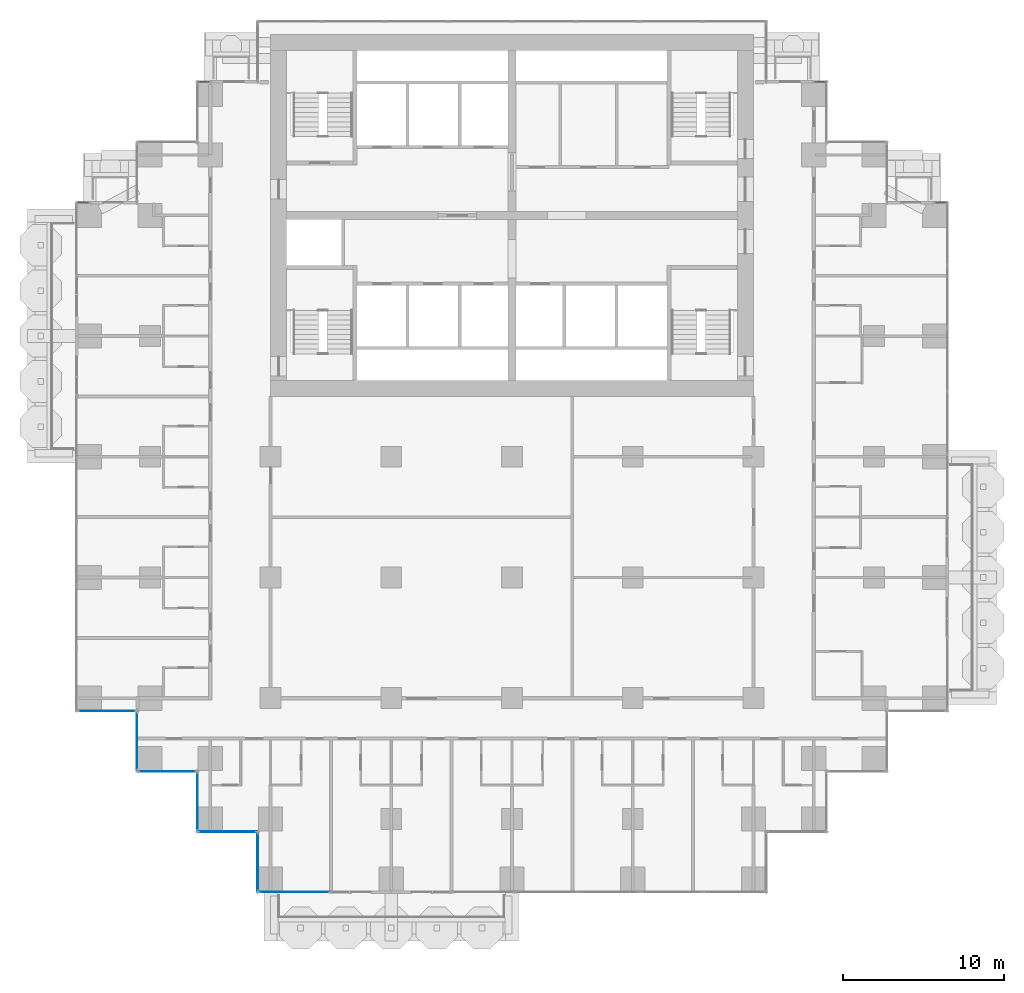
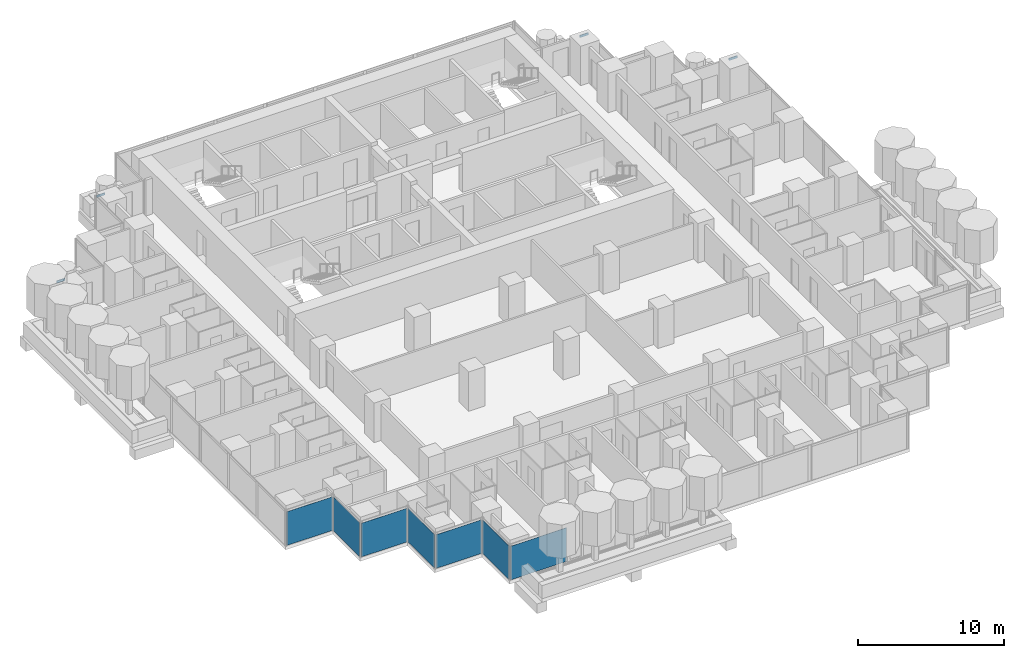
# One storey, part 7 of 19: 7 plates, 4 members, 11 elements without a shape of their own.
"""IFC4 building model written with IfcOpenShell, lengths in metres."""

from ifc_helpers import new_model, si_unit, direction, frame, origin, origin_2d, place, context, subcontext, project, spatial, rectangle, extrude, material, layer, layer_set, material_profile, profile_set, type_object, element, aggregate, save


model = new_model("IFC4")

# Units and contexts
model_context = context("Model", 3, precision=1e-05, world=origin(), true_north=direction((0.0, 1.0)))
body_context = subcontext(model_context, "Body", "Model", "MODEL_VIEW")
ifc_project = project(units=[si_unit("LENGTHUNIT", "METRE"), si_unit("AREAUNIT", "SQUARE_METRE"), si_unit("VOLUMEUNIT", "CUBIC_METRE"), si_unit("PLANEANGLEUNIT", "RADIAN"), si_unit("MASSUNIT", "GRAM", prefix="KILO")], contexts=[model_context])

# Site, building, storey
site_placement = place(None, origin())
site = spatial("IfcSite", under=ifc_project, at=site_placement, CompositionType="ELEMENT")
building_placement = place(site_placement, origin())
building = spatial("IfcBuilding", under=site, at=building_placement, Name="Pilkhan Gate Tower", CompositionType="ELEMENT")
storey_placement = place(building_placement, frame((0.0, 0.0, 62.60009765625)))
storey = spatial("IfcBuildingStorey", under=building, at=storey_placement, Name="L13", CompositionType="ELEMENT", Elevation=62.60009765625)

# Curtain wall, member
ifc_material_1 = material(Name="Pale anodised aluminium, clear low-iron double glazing", Category="aluminium")
curtain_wall_type = type_object("IfcCurtainWallType", Name="Hotel unitised curtain wall CW-H", PredefinedType="USERDEFINED", material=ifc_material_1)
curtain_wall_1_placement = place(storey_placement, origin())
curtain_wall_1 = element("IfcCurtainWall", 1, at=curtain_wall_1_placement, inside=storey, type_object=curtain_wall_type, Name="Hotel unitised curtain wall CW-H L13 N", ObjectType="UNITISED CURTAIN WALL", PredefinedType="USERDEFINED")
ifc_material_2 = material(Name="Pale anodised aluminium", Category="aluminium")
ifc_material_profile = material_profile(ifc_material_2, rectangle(XDim=0.06494140625, YDim=0.179931640625, at=origin_2d()), Name="Transom 180x65")
ifc_profile_set = profile_set([ifc_material_profile], Name="Pale anodised aluminium")
member_type = type_object("IfcMemberType", Name="Transom CW-H 180x65", PredefinedType="USERDEFINED", material=ifc_profile_set)
member_1_placement = place(storey_placement, frame((101.31494140625, 83.294921875, 2.909912109375), z_axis=(1.0, 0.0, 0.0), x_axis=(0.0, 1.0, 0.0)))
member_1 = element("IfcMember", 2, at=member_1_placement, type_object=member_type, Name="CW-H transom 1", ObjectType="TRANSOM", PredefinedType="USERDEFINED", context=body_context, shape_type="SweptSolid", body=[
    extrude(rectangle(XDim=0.06494140625, YDim=0.179931640625, at=origin_2d()), origin(), (0.0, 0.0, 1.0), 0.6650390625),
])
aggregate(curtain_wall_1, [member_1])

curtain_wall_2_placement = place(storey_placement, origin())
curtain_wall_2 = element("IfcCurtainWall", 3, at=curtain_wall_2_placement, inside=storey, type_object=curtain_wall_type, Name="Hotel unitised curtain wall CW-H L13 N", ObjectType="UNITISED CURTAIN WALL", PredefinedType="USERDEFINED")
member_2_placement = place(storey_placement, frame((93.81494140625, 90.794921875, 2.909912109375), z_axis=(1.0, 0.0, 0.0), x_axis=(0.0, 1.0, 0.0)))
member_2 = element("IfcMember", 4, at=member_2_placement, type_object=member_type, Name="CW-H transom 1", ObjectType="TRANSOM", PredefinedType="USERDEFINED", context=body_context, shape_type="SweptSolid", body=[
    extrude(rectangle(XDim=0.06494140625, YDim=0.179931640625, at=origin_2d()), origin(), (0.0, 0.0, 1.0), 0.6650390625),
])
aggregate(curtain_wall_2, [member_2])

curtain_wall_3_placement = place(storey_placement, origin())
curtain_wall_3 = element("IfcCurtainWall", 5, at=curtain_wall_3_placement, inside=storey, type_object=curtain_wall_type, Name="Hotel unitised curtain wall CW-H L13 N", ObjectType="UNITISED CURTAIN WALL", PredefinedType="USERDEFINED")
member_3_placement = place(storey_placement, frame((55.52001953125, 90.794921875, 2.909912109375), z_axis=(1.0, 0.0, 0.0), x_axis=(0.0, 1.0, 0.0)))
member_3 = element("IfcMember", 6, at=member_3_placement, type_object=member_type, Name="CW-H transom 1", ObjectType="TRANSOM", PredefinedType="USERDEFINED", context=body_context, shape_type="SweptSolid", body=[
    extrude(rectangle(XDim=0.06494140625, YDim=0.179931640625, at=origin_2d()), origin(), (0.0, 0.0, 1.0), 0.6650390625),
])
aggregate(curtain_wall_3, [member_3])

curtain_wall_4_placement = place(storey_placement, origin())
curtain_wall_4 = element("IfcCurtainWall", 7, at=curtain_wall_4_placement, inside=storey, type_object=curtain_wall_type, Name="Hotel unitised curtain wall CW-H L13 N", ObjectType="UNITISED CURTAIN WALL", PredefinedType="USERDEFINED")
member_4_placement = place(storey_placement, frame((48.02001953125, 83.294921875, 2.909912109375), z_axis=(1.0, 0.0, 0.0), x_axis=(0.0, 1.0, 0.0)))
member_4 = element("IfcMember", 8, at=member_4_placement, type_object=member_type, Name="CW-H transom 1", ObjectType="TRANSOM", PredefinedType="USERDEFINED", context=body_context, shape_type="SweptSolid", body=[
    extrude(rectangle(XDim=0.06494140625, YDim=0.179931640625, at=origin_2d()), origin(), (0.0, 0.0, 1.0), 0.6650390625),
])
aggregate(curtain_wall_4, [member_4])

# Curtain wall, plate
curtain_wall_5_placement = place(storey_placement, origin())
curtain_wall_5 = element("IfcCurtainWall", 9, at=curtain_wall_5_placement, inside=storey, type_object=curtain_wall_type, Name="Hotel unitised curtain wall CW-H L13 S", ObjectType="UNITISED CURTAIN WALL", PredefinedType="USERDEFINED")
ifc_material_3 = material(Name="Clear low-iron double glazing", Category="glass")
ifc_layer = layer(ifc_material_3, 0.035888671875)
ifc_layer_set = layer_set([ifc_layer], Name="Glass panel CW-H 36")
plate_type = type_object("IfcPlateType", Name="Glass panel CW-H 36", PredefinedType="CURTAIN_PANEL", material=ifc_layer_set)
plate_1_placement = place(storey_placement, frame((49.830078125, 51.705078125, 0.0), z_axis=(0.0, 0.0, 1.0), x_axis=(1.0, 0.0, 0.0)))
plate_1 = element("IfcPlate", 10, at=plate_1_placement, type_object=plate_type, Name="CW-H panel 1", PredefinedType="CURTAIN_PANEL", context=body_context, shape_type="SweptSolid", body=[
    extrude(rectangle(XDim=3.6201171875, YDim=0.035888671875, at=origin_2d()), origin(), (0.0, 0.0, 1.0), 2.820068359375),
])
aggregate(curtain_wall_5, [plate_1])

curtain_wall_6_placement = place(storey_placement, origin())
curtain_wall_6 = element("IfcCurtainWall", 11, at=curtain_wall_6_placement, inside=storey, type_object=curtain_wall_type, Name="Hotel unitised curtain wall CW-H L13 W", ObjectType="UNITISED CURTAIN WALL", PredefinedType="USERDEFINED")
plate_2_placement = place(storey_placement, frame((51.705078125, 49.830078125, 0.0), z_axis=(0.0, 0.0, 1.0), x_axis=(0.0, 1.0, 0.0)))
plate_2 = element("IfcPlate", 12, at=plate_2_placement, type_object=plate_type, Name="CW-H panel 1", PredefinedType="CURTAIN_PANEL", context=body_context, shape_type="SweptSolid", body=[
    extrude(rectangle(XDim=3.6201171875, YDim=0.035888671875, at=origin_2d()), origin(), (0.0, 0.0, 1.0), 2.820068359375),
])
aggregate(curtain_wall_6, [plate_2])

curtain_wall_7_placement = place(storey_placement, origin())
curtain_wall_7 = element("IfcCurtainWall", 13, at=curtain_wall_7_placement, inside=storey, type_object=curtain_wall_type, Name="Hotel unitised curtain wall CW-H L13 S", ObjectType="UNITISED CURTAIN WALL", PredefinedType="USERDEFINED")
plate_3_placement = place(storey_placement, frame((53.580078125, 47.955078125, 0.0), z_axis=(0.0, 0.0, 1.0), x_axis=(1.0, 0.0, 0.0)))
plate_3 = element("IfcPlate", 14, at=plate_3_placement, type_object=plate_type, Name="CW-H panel 1", PredefinedType="CURTAIN_PANEL", context=body_context, shape_type="SweptSolid", body=[
    extrude(rectangle(XDim=3.6201171875, YDim=0.035888671875, at=origin_2d()), origin(), (0.0, 0.0, 1.0), 2.820068359375),
])
aggregate(curtain_wall_7, [plate_3])

curtain_wall_8_placement = place(storey_placement, origin())
curtain_wall_8 = element("IfcCurtainWall", 15, at=curtain_wall_8_placement, inside=storey, type_object=curtain_wall_type, Name="Hotel unitised curtain wall CW-H L13 W", ObjectType="UNITISED CURTAIN WALL", PredefinedType="USERDEFINED")
plate_4_placement = place(storey_placement, frame((55.455078125, 46.080078125, 0.0), z_axis=(0.0, 0.0, 1.0), x_axis=(0.0, 1.0, 0.0)))
plate_4 = element("IfcPlate", 16, at=plate_4_placement, type_object=plate_type, Name="CW-H panel 1", PredefinedType="CURTAIN_PANEL", context=body_context, shape_type="SweptSolid", body=[
    extrude(rectangle(XDim=3.6201171875, YDim=0.035888671875, at=origin_2d()), origin(), (0.0, 0.0, 1.0), 2.820068359375),
])
aggregate(curtain_wall_8, [plate_4])

curtain_wall_9_placement = place(storey_placement, origin())
curtain_wall_9 = element("IfcCurtainWall", 17, at=curtain_wall_9_placement, inside=storey, type_object=curtain_wall_type, Name="Hotel unitised curtain wall CW-H L13 S", ObjectType="UNITISED CURTAIN WALL", PredefinedType="USERDEFINED")
plate_5_placement = place(storey_placement, frame((57.330078125, 44.205078125, 0.0), z_axis=(0.0, 0.0, 1.0), x_axis=(1.0, 0.0, 0.0)))
plate_5 = element("IfcPlate", 18, at=plate_5_placement, type_object=plate_type, Name="CW-H panel 1", PredefinedType="CURTAIN_PANEL", context=body_context, shape_type="SweptSolid", body=[
    extrude(rectangle(XDim=3.6201171875, YDim=0.035888671875, at=origin_2d()), origin(), (0.0, 0.0, 1.0), 2.820068359375),
])
aggregate(curtain_wall_9, [plate_5])

curtain_wall_10_placement = place(storey_placement, origin())
curtain_wall_10 = element("IfcCurtainWall", 19, at=curtain_wall_10_placement, inside=storey, type_object=curtain_wall_type, Name="Hotel unitised curtain wall CW-H L13 W", ObjectType="UNITISED CURTAIN WALL", PredefinedType="USERDEFINED")
plate_6_placement = place(storey_placement, frame((59.205078125, 42.330078125, 0.0), z_axis=(0.0, 0.0, 1.0), x_axis=(0.0, 1.0, 0.0)))
plate_6 = element("IfcPlate", 20, at=plate_6_placement, type_object=plate_type, Name="CW-H panel 1", PredefinedType="CURTAIN_PANEL", context=body_context, shape_type="SweptSolid", body=[
    extrude(rectangle(XDim=3.6201171875, YDim=0.035888671875, at=origin_2d()), origin(), (0.0, 0.0, 1.0), 2.820068359375),
])
aggregate(curtain_wall_10, [plate_6])

curtain_wall_11_placement = place(storey_placement, origin())
curtain_wall_11 = element("IfcCurtainWall", 21, at=curtain_wall_11_placement, inside=storey, type_object=curtain_wall_type, Name="Hotel unitised curtain wall CW-H L13 S", ObjectType="UNITISED CURTAIN WALL", PredefinedType="USERDEFINED")
plate_7_placement = place(storey_placement, frame((61.4775390625, 40.455078125, 0.0), z_axis=(0.0, 0.0, 1.0), x_axis=(1.0, 0.0, 0.0)))
plate_7 = element("IfcPlate", 22, at=plate_7_placement, type_object=plate_type, Name="CW-H panel 1", PredefinedType="CURTAIN_PANEL", context=body_context, shape_type="SweptSolid", body=[
    extrude(rectangle(XDim=4.4150390625, YDim=0.035888671875, at=origin_2d()), origin(), (0.0, 0.0, 1.0), 2.820068359375),
])
aggregate(curtain_wall_11, [plate_7])

save(model, "model.ifc")
